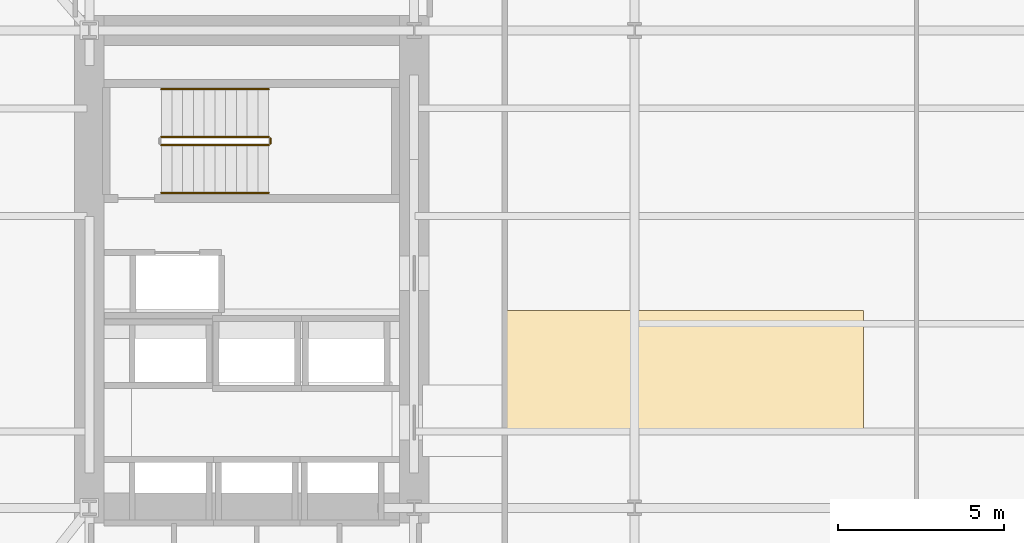
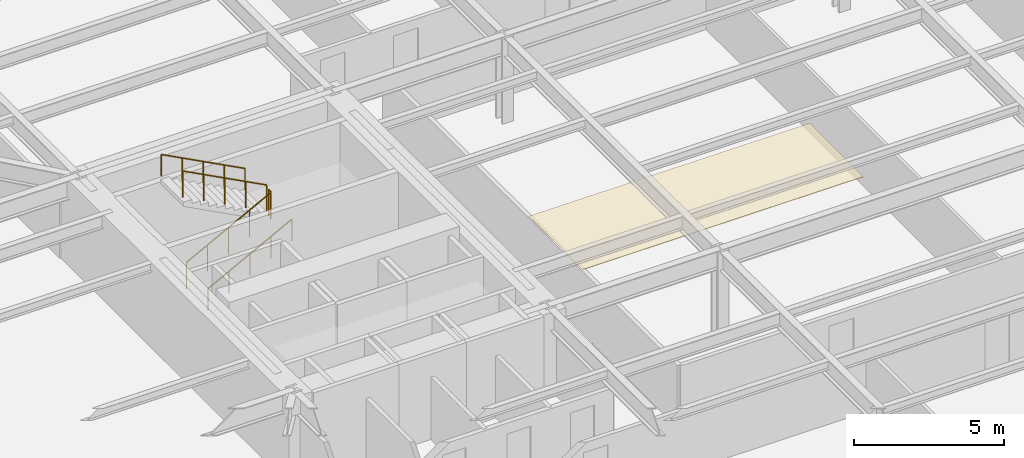
# One storey, part 10 of 15: 5 railings, 1 covering.
"""IFC4 building model written with IfcOpenShell, lengths in metres."""

from ifc_helpers import new_model, si_unit, direction, frame, origin, origin_2d, place, context, subcontext, project, spatial, polyline, circle, outline, extrude, material, layer, layer_set, type_object, element, save


model = new_model("IFC4")

# Units and contexts
model_context = context("Model", 3, precision=1e-05, world=origin(), true_north=direction((0.0, 1.0)))
body_context = subcontext(model_context, "Body", "Model", "MODEL_VIEW")
ifc_project = project(units=[si_unit("LENGTHUNIT", "METRE"), si_unit("AREAUNIT", "SQUARE_METRE"), si_unit("VOLUMEUNIT", "CUBIC_METRE"), si_unit("PLANEANGLEUNIT", "RADIAN"), si_unit("MASSUNIT", "GRAM", prefix="KILO")], contexts=[model_context])

# Site, building, storey
site_placement = place(None, origin())
site = spatial("IfcSite", under=ifc_project, at=site_placement, CompositionType="ELEMENT")
building_placement = place(site_placement, origin())
building = spatial("IfcBuilding", under=site, at=building_placement, Name="Kolvaren Arena Tower", CompositionType="ELEMENT")
storey_placement = place(building_placement, frame((0.0, 0.0, 68.25)))
storey = spatial("IfcBuildingStorey", under=building, at=storey_placement, Name="L14", CompositionType="ELEMENT", Elevation=68.25)

# Covering
ifc_material_1 = material(Name="Mineral fibre acoustic ceiling tile", Category="gypsum")
ifc_layer = layer(ifc_material_1, 0.02490234375)
ifc_layer_set = layer_set([ifc_layer], Name="Mineral fibre acoustic ceiling tile")
covering_type = type_object("IfcCoveringType", Name="CEIL-ACT-1", PredefinedType="CEILING", material=ifc_layer_set)
covering_placement = place(storey_placement, frame((0.0, 0.0, 2.52001953125)))
element("IfcCovering", 1, at=covering_placement, inside=storey, type_object=covering_type, Name="Suspended Ceiling (L14)", PredefinedType="CEILING", context=body_context, shape_type="SweptSolid", body=[
    extrude(outline(polyline([(27.050048828125, 21.800048828125), (27.050048828125, 25.39990234375), (37.89990234375, 25.39990234375), (37.89990234375, 21.800048828125), (27.050048828125, 21.800048828125)])), origin(), (0.0, 0.0, 1.0), 0.02490234375),
])

# Railings
ifc_material_2 = material(Name="Painted galvanized steel", Category="steel")
railing_type_1 = type_object("IfcRailingType", Name="GUARD-ST-110", PredefinedType="GUARDRAIL", material=ifc_material_2)
railing_1_placement = place(storey_placement, frame((16.719970703125, 30.389892578125, 0.17041015625)))
element("IfcRailing", 2, at=railing_1_placement, inside=storey, type_object=railing_type_1, Name="L14 ST-W1 stair guard 1", PredefinedType="GUARDRAIL", context=body_context, shape_type="SweptSolid", body=[
    extrude(circle(Radius=0.02392578125, at=origin_2d()), frame((0.0, 0.0, 1.076171875), z_axis=(0.884993431791, 0.0, 0.465603506952), x_axis=(0.0, 1.0, 0.0)), (0.0, 0.0, 1.0), 3.6611328125),
    extrude(circle(Radius=0.02099609375, at=origin_2d()), origin(), (0.0, 0.0, 1.0), 1.052001953125),
    extrude(circle(Radius=0.02099609375, at=origin_2d()), frame((0.81005859375, 0.0, 0.42626953125)), (0.0, 0.0, 1.0), 1.052001953125),
    extrude(circle(Radius=0.02099609375, at=origin_2d()), frame((1.6201171875, 0.0, 0.852294921875)), (0.0, 0.0, 1.0), 1.052001953125),
    extrude(circle(Radius=0.02099609375, at=origin_2d()), frame((2.429931640625, 0.0, 1.2783203125)), (0.0, 0.0, 1.0), 1.052001953125),
    extrude(circle(Radius=0.02099609375, at=origin_2d()), frame((3.239990234375, 0.0, 1.70458984375)), (0.0, 0.0, 1.0), 1.052001953125),
])
railing_2_placement = place(storey_placement, frame((20.010009765625, 30.43994140625, 1.875)))
element("IfcRailing", 3, at=railing_2_placement, inside=storey, type_object=railing_type_1, Name="L14 ST-W1 stair guard 2", PredefinedType="GUARDRAIL", context=body_context, shape_type="SweptSolid", body=[
    extrude(circle(Radius=0.02392578125, at=origin_2d()), frame((0.0, 0.0, 1.076171875), z_axis=(0.0, 1.0, 0.0), x_axis=(-1.0, 0.0, 0.0)), (0.0, 0.0, 1.0), 0.150146484375),
    extrude(circle(Radius=0.02099609375, at=origin_2d()), origin(), (0.0, 0.0, 1.0), 1.052001953125),
    extrude(circle(Radius=0.02099609375, at=origin_2d()), frame((0.0, 0.150146484375, 0.0)), (0.0, 0.0, 1.0), 1.052001953125),
])
railing_3_placement = place(storey_placement, frame((19.9599609375, 30.639892578125, 2.04541015625)))
element("IfcRailing", 4, at=railing_3_placement, inside=storey, type_object=railing_type_1, Name="L14 ST-W1 stair guard 3", PredefinedType="GUARDRAIL", context=body_context, shape_type="SweptSolid", body=[
    extrude(circle(Radius=0.02392578125, at=origin_2d()), frame((0.0, 0.0, 1.076171875), z_axis=(-0.884993431791, 0.0, 0.465603506952), x_axis=(0.0, -1.0, 0.0)), (0.0, 0.0, 1.0), 3.6611328125),
    extrude(circle(Radius=0.02099609375, at=origin_2d()), origin(), (0.0, 0.0, 1.0), 1.052001953125),
    extrude(circle(Radius=0.02099609375, at=origin_2d()), frame((-0.81005859375, 0.0, 0.42626953125)), (0.0, 0.0, 1.0), 1.052001953125),
    extrude(circle(Radius=0.02099609375, at=origin_2d()), frame((-1.6201171875, 0.0, 0.852294921875)), (0.0, 0.0, 1.0), 1.052001953125),
    extrude(circle(Radius=0.02099609375, at=origin_2d()), frame((-2.429931640625, 0.0, 1.2783203125)), (0.0, 0.0, 1.0), 1.052001953125),
    extrude(circle(Radius=0.02099609375, at=origin_2d()), frame((-3.239990234375, 0.0, 1.70458984375)), (0.0, 0.0, 1.0), 1.052001953125),
])
ifc_material_3 = material(Name="Brushed stainless steel handrail", Category="steel")
railing_type_2 = type_object("IfcRailingType", Name="HRAIL-900", PredefinedType="HANDRAIL", material=ifc_material_3)
railing_4_placement = place(storey_placement, frame((16.719970703125, 28.949951171875, 0.17041015625)))
element("IfcRailing", 5, at=railing_4_placement, inside=storey, type_object=railing_type_2, Name="L14 ST-W1 stair handrail 1", PredefinedType="HANDRAIL", context=body_context, shape_type="SweptSolid", body=[
    extrude(circle(Radius=0.02392578125, at=origin_2d()), frame((0.0, 0.0, 0.8759765625), z_axis=(0.884993431791, 0.0, 0.465603506952), x_axis=(0.0, 1.0, 0.0)), (0.0, 0.0, 1.0), 3.6611328125),
    extrude(circle(Radius=0.02099609375, at=origin_2d()), origin(), (0.0, 0.0, 1.0), 0.851806640625),
    extrude(circle(Radius=0.02099609375, at=origin_2d()), frame((0.81005859375, 0.0, 0.42626953125)), (0.0, 0.0, 1.0), 0.851806640625),
    extrude(circle(Radius=0.02099609375, at=origin_2d()), frame((1.6201171875, 0.0, 0.852294921875)), (0.0, 0.0, 1.0), 0.851806640625),
    extrude(circle(Radius=0.02099609375, at=origin_2d()), frame((2.429931640625, 0.0, 1.2783203125)), (0.0, 0.0, 1.0), 0.851806640625),
    extrude(circle(Radius=0.02099609375, at=origin_2d()), frame((3.239990234375, 0.0, 1.70458984375)), (0.0, 0.0, 1.0), 0.851806640625),
])
railing_5_placement = place(storey_placement, frame((19.9599609375, 32.080078125, 2.04541015625)))
element("IfcRailing", 6, at=railing_5_placement, inside=storey, type_object=railing_type_2, Name="L14 ST-W1 stair handrail 2", PredefinedType="HANDRAIL", context=body_context, shape_type="SweptSolid", body=[
    extrude(circle(Radius=0.02392578125, at=origin_2d()), frame((0.0, 0.0, 0.8759765625), z_axis=(-0.884993431791, 0.0, 0.465603506952), x_axis=(0.0, -1.0, 0.0)), (0.0, 0.0, 1.0), 3.6611328125),
    extrude(circle(Radius=0.02099609375, at=origin_2d()), origin(), (0.0, 0.0, 1.0), 0.851806640625),
    extrude(circle(Radius=0.02099609375, at=origin_2d()), frame((-0.81005859375, 0.0, 0.42626953125)), (0.0, 0.0, 1.0), 0.851806640625),
    extrude(circle(Radius=0.02099609375, at=origin_2d()), frame((-1.6201171875, 0.0, 0.852294921875)), (0.0, 0.0, 1.0), 0.851806640625),
    extrude(circle(Radius=0.02099609375, at=origin_2d()), frame((-2.429931640625, 0.0, 1.2783203125)), (0.0, 0.0, 1.0), 0.851806640625),
    extrude(circle(Radius=0.02099609375, at=origin_2d()), frame((-3.239990234375, 0.0, 1.70458984375)), (0.0, 0.0, 1.0), 0.851806640625),
])

save(model, "model.ifc")
